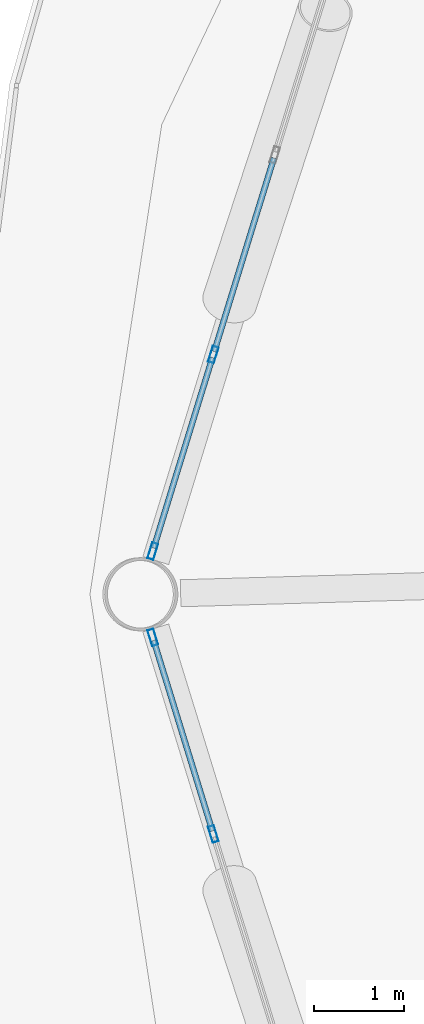
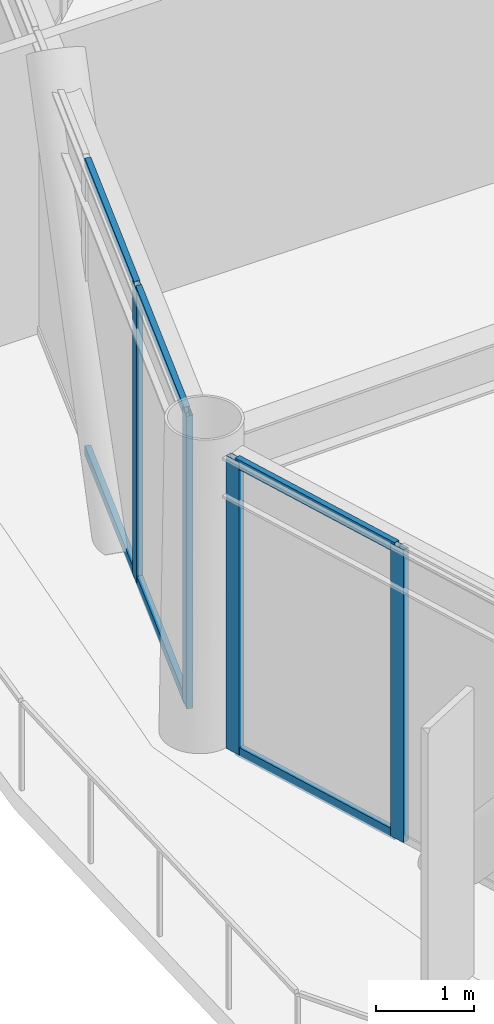
# One storey, part 8 of 24: 10 members, 2 elements without a shape of their own.
"""IFC4 building model written with IfcOpenShell, lengths in metres."""

from ifc_helpers import new_model, si_unit, direction, frame, origin, origin_2d, place, context, subcontext, project, spatial, hollow_rectangle, extrude, material, layer, layer_set, material_profile, profile_set, type_object, element, aggregate, save


model = new_model("IFC4")

# Units and contexts
model_context = context("Model", 3, precision=1e-05, world=origin(), true_north=direction((0.0, 1.0)))
body_context = subcontext(model_context, "Body", "Model", "MODEL_VIEW")
ifc_project = project(units=[si_unit("LENGTHUNIT", "METRE"), si_unit("AREAUNIT", "SQUARE_METRE"), si_unit("VOLUMEUNIT", "CUBIC_METRE"), si_unit("PLANEANGLEUNIT", "RADIAN"), si_unit("MASSUNIT", "GRAM", prefix="KILO")], contexts=[model_context])

# Site, building, storey
site_placement = place(None, origin())
site = spatial("IfcSite", under=ifc_project, at=site_placement, CompositionType="ELEMENT")
building_placement = place(site_placement, origin())
building = spatial("IfcBuilding", under=site, at=building_placement, Name="Varnakorn Sky Granary", CompositionType="ELEMENT")
storey_placement = place(building_placement, frame((0.0, 0.0, 103.199951171875)))
storey = spatial("IfcBuildingStorey", under=building, at=storey_placement, Name="L25", CompositionType="ELEMENT", Elevation=103.199951171875)

# Curtain wall, members
ifc_material = material(Name="Anodised Bronze Aluminium Alloy 6063-T6", Category="aluminium")
ifc_layer = layer(ifc_material, 0.179931640625, Name="Anodised Bronze Aluminium Alloy 6063-T6")
ifc_layer_set = layer_set([ifc_layer], Name="Anodised Bronze Aluminium Alloy 6063-T6")
curtain_wall_type = type_object("IfcCurtainWallType", Name="CW-FRM-2", PredefinedType="USERDEFINED", material=ifc_layer_set)
curtain_wall_1_placement = place(storey_placement, origin())
curtain_wall_1 = element("IfcCurtainWall", 1, at=curtain_wall_1_placement, inside=storey, type_object=curtain_wall_type, Name="Unitised Curtain Wall CW4 CW-L25-B06", ObjectType="CURTAIN WALL", PredefinedType="USERDEFINED")
ifc_material_profile_1 = material_profile(ifc_material, hollow_rectangle(XDim=0.070068359375, YDim=0.18505859375, WallThickness=0.00390625, at=origin_2d()), Name="ALU MULL 70x185")
ifc_profile_set_1 = profile_set([ifc_material_profile_1], Name="Anodised Bronze Aluminium Alloy 6063-T6")
member_type_1 = type_object("IfcMemberType", Name="CW-FRM-2-MULL", PredefinedType="MULLION", material=ifc_profile_set_1)
member_1_placement = place(storey_placement, frame((-22.935302734375, 0.479248046875, 0.0), z_axis=(0.0, 0.0, 1.0), x_axis=(-0.955651974312, 0.294498393873, 0.0)))
member_1 = element("IfcMember", 2, at=member_1_placement, type_object=member_type_1, Name="CW4 mullion 1", PredefinedType="MULLION", context=body_context, shape_type="SweptSolid", body=[
    extrude(hollow_rectangle(XDim=0.070068359375, YDim=0.18505859375, WallThickness=0.00390625, at=origin_2d()), origin(), (0.0, 0.0, 1.0), 3.64013671875),
])
member_2_placement = place(storey_placement, frame((-22.26220703125, 2.66357421875, 0.0), z_axis=(0.0, 0.0, 1.0), x_axis=(-0.955651974312, 0.294498393873, 0.0)))
member_2 = element("IfcMember", 3, at=member_2_placement, type_object=member_type_1, Name="CW4 mullion 2", PredefinedType="MULLION", context=body_context, shape_type="SweptSolid", body=[
    extrude(hollow_rectangle(XDim=0.070068359375, YDim=0.18505859375, WallThickness=0.00390625, at=origin_2d()), origin(), (0.0, 0.0, 1.0), 3.64013671875),
])

curtain_wall_2_placement = place(storey_placement, origin())
curtain_wall_2 = element("IfcCurtainWall", 4, at=curtain_wall_2_placement, inside=storey, type_object=curtain_wall_type, Name="Unitised Curtain Wall CW4 CW-L25-B07", ObjectType="CURTAIN WALL", PredefinedType="USERDEFINED")
member_3_placement = place(storey_placement, frame((-22.26220703125, -2.66357421875, 0.0), z_axis=(0.0, 0.0, 1.0), x_axis=(-0.955651974312, -0.294498393873, 0.0)))
member_3 = element("IfcMember", 5, at=member_3_placement, type_object=member_type_1, Name="CW4 mullion 4", PredefinedType="MULLION", context=body_context, shape_type="SweptSolid", body=[
    extrude(hollow_rectangle(XDim=0.070068359375, YDim=0.18505859375, WallThickness=0.00390625, at=origin_2d()), origin(), (0.0, 0.0, 1.0), 3.64013671875),
])
member_4_placement = place(storey_placement, frame((-22.935302734375, -0.479248046875, 0.0), z_axis=(0.0, 0.0, 1.0), x_axis=(-0.955651974312, -0.294498393873, 0.0)))
member_4 = element("IfcMember", 6, at=member_4_placement, type_object=member_type_1, Name="CW4 mullion 5", PredefinedType="MULLION", context=body_context, shape_type="SweptSolid", body=[
    extrude(hollow_rectangle(XDim=0.070068359375, YDim=0.18505859375, WallThickness=0.00390625, at=origin_2d()), origin(), (0.0, 0.0, 1.0), 3.64013671875),
])

# Member
ifc_material_profile_2 = material_profile(ifc_material, hollow_rectangle(XDim=0.06494140625, YDim=0.1201171875, WallThickness=0.00341796875, at=origin_2d()), Name="ALU TRAN 65x120")
ifc_profile_set_2 = profile_set([ifc_material_profile_2], Name="Anodised Bronze Aluminium Alloy 6063-T6")
member_type_2 = type_object("IfcMemberType", Name="CW-FRM-2-TRAN", PredefinedType="USERDEFINED", material=ifc_profile_set_2)
member_5_placement = place(storey_placement, frame((-22.925048828125, 0.5126953125, 0.032470703125), z_axis=(0.294527157053, 0.955643110035, 0.0), x_axis=(-0.955643110035, 0.294527157053, 0.0)))
member_5 = element("IfcMember", 7, at=member_5_placement, type_object=member_type_2, Name="CW4 transom 1.1", ObjectType="TRANSOM", PredefinedType="USERDEFINED", context=body_context, shape_type="SweptSolid", body=[
    extrude(hollow_rectangle(XDim=0.06494140625, YDim=0.1201171875, WallThickness=0.00341796875, at=origin_2d()), origin(), (0.0, 0.0, 1.0), 2.2158203125),
])

member_6_placement = place(storey_placement, frame((-22.925048828125, 0.5126953125, 3.607666015625), z_axis=(0.294527157053, 0.955643110035, 0.0), x_axis=(-0.955643110035, 0.294527157053, 0.0)))
member_6 = element("IfcMember", 8, at=member_6_placement, type_object=member_type_2, Name="CW4 transom 1.2", ObjectType="TRANSOM", PredefinedType="USERDEFINED", context=body_context, shape_type="SweptSolid", body=[
    extrude(hollow_rectangle(XDim=0.06494140625, YDim=0.1201171875, WallThickness=0.00341796875, at=origin_2d()), origin(), (0.0, 0.0, 1.0), 2.2158203125),
])

member_7_placement = place(storey_placement, frame((-22.251953125, 2.697021484375, 0.032470703125), z_axis=(0.294505055258, 0.955649921481, 0.0), x_axis=(-0.955649921481, 0.294505055258, 0.0)))
member_7 = element("IfcMember", 9, at=member_7_placement, type_object=member_type_2, Name="CW4 transom 2.1", ObjectType="TRANSOM", PredefinedType="USERDEFINED", context=body_context, shape_type="SweptSolid", body=[
    extrude(hollow_rectangle(XDim=0.06494140625, YDim=0.1201171875, WallThickness=0.00341796875, at=origin_2d()), origin(), (0.0, 0.0, 1.0), 2.250732421875),
])

member_8_placement = place(storey_placement, frame((-22.251953125, 2.697021484375, 3.607666015625), z_axis=(0.294505055258, 0.955649921481, 0.0), x_axis=(-0.955649921481, 0.294505055258, 0.0)))
member_8 = element("IfcMember", 10, at=member_8_placement, type_object=member_type_2, Name="CW4 transom 2.2", ObjectType="TRANSOM", PredefinedType="USERDEFINED", context=body_context, shape_type="SweptSolid", body=[
    extrude(hollow_rectangle(XDim=0.06494140625, YDim=0.1201171875, WallThickness=0.00341796875, at=origin_2d()), origin(), (0.0, 0.0, 1.0), 2.250732421875),
])

aggregate(curtain_wall_1, [member_1, member_2, member_5, member_6, member_7, member_8])

member_9_placement = place(storey_placement, frame((-22.2724609375, -2.630126953125, 0.032470703125), z_axis=(-0.294527157053, 0.955643110035, 0.0), x_axis=(-0.955643110035, -0.294527157053, 0.0)))
member_9 = element("IfcMember", 11, at=member_9_placement, type_object=member_type_2, Name="CW4 transom 4.1", ObjectType="TRANSOM", PredefinedType="USERDEFINED", context=body_context, shape_type="SweptSolid", body=[
    extrude(hollow_rectangle(XDim=0.06494140625, YDim=0.1201171875, WallThickness=0.00341796875, at=origin_2d()), origin(), (0.0, 0.0, 1.0), 2.2158203125),
])

member_10_placement = place(storey_placement, frame((-22.2724609375, -2.630126953125, 3.607666015625), z_axis=(-0.294527157053, 0.955643110035, 0.0), x_axis=(-0.955643110035, -0.294527157053, 0.0)))
member_10 = element("IfcMember", 12, at=member_10_placement, type_object=member_type_2, Name="CW4 transom 4.2", ObjectType="TRANSOM", PredefinedType="USERDEFINED", context=body_context, shape_type="SweptSolid", body=[
    extrude(hollow_rectangle(XDim=0.06494140625, YDim=0.1201171875, WallThickness=0.00341796875, at=origin_2d()), origin(), (0.0, 0.0, 1.0), 2.2158203125),
])

aggregate(curtain_wall_2, [member_3, member_4, member_9, member_10])

save(model, "model.ifc")
